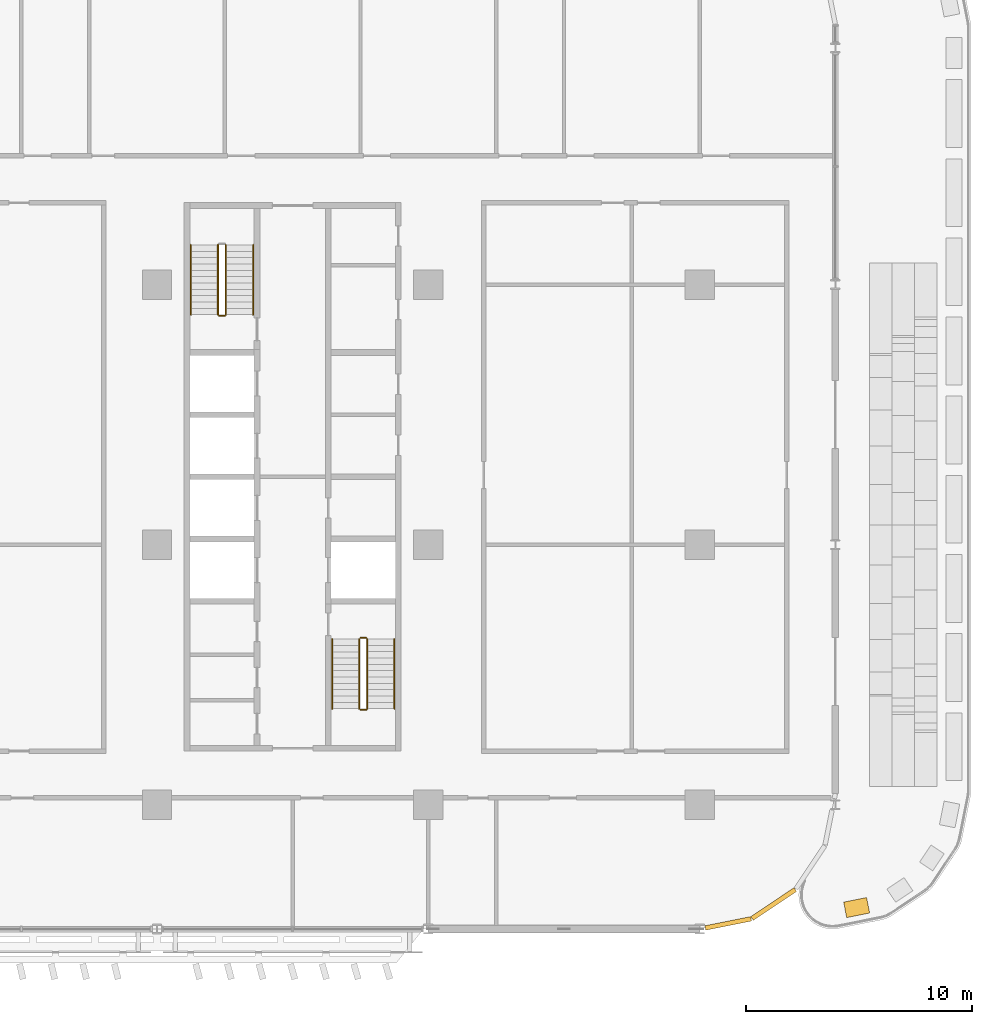
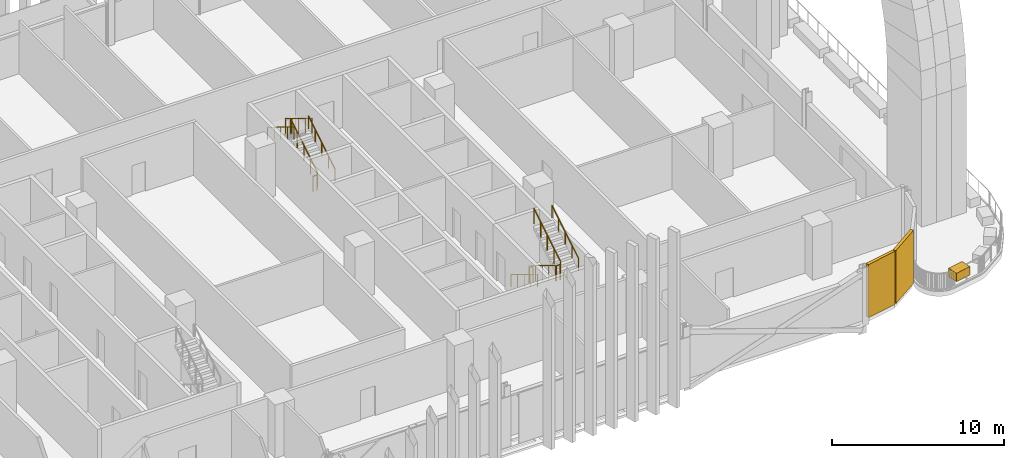
# One storey, part 29 of 33: 11 railings, 3 coverings.
"""IFC4 building model written with IfcOpenShell, lengths in metres."""

from ifc_helpers import new_model, si_unit, direction, frame, origin, origin_2d, place, context, subcontext, project, spatial, rectangle, circle, extrude, material, layer, layer_set, type_object, element, save


model = new_model("IFC4")

# Units and contexts
model_context = context("Model", 3, precision=1e-05, world=origin(), true_north=direction((0.0, 1.0)))
body_context = subcontext(model_context, "Body", "Model", "MODEL_VIEW")
ifc_project = project(units=[si_unit("LENGTHUNIT", "METRE"), si_unit("AREAUNIT", "SQUARE_METRE"), si_unit("VOLUMEUNIT", "CUBIC_METRE"), si_unit("PLANEANGLEUNIT", "RADIAN"), si_unit("MASSUNIT", "GRAM", prefix="KILO")], contexts=[model_context])

# Site, building, storey
site_placement = place(None, origin())
site = spatial("IfcSite", under=ifc_project, at=site_placement, CompositionType="ELEMENT")
building_placement = place(site_placement, origin())
building = spatial("IfcBuilding", under=site, at=building_placement, Name="Mahtab Terrace Research Tower", CompositionType="ELEMENT")
storey_placement = place(building_placement, frame((0.0, 0.0, 122.0)))
storey = spatial("IfcBuildingStorey", under=building, at=storey_placement, Name="L28", CompositionType="ELEMENT", Elevation=122.0)

# Coverings
ifc_material_1 = material(Name="Black aluminium cladding panel", Category="aluminium")
ifc_layer_1 = layer(ifc_material_1, 0.199951171875)
ifc_layer_set_1 = layer_set([ifc_layer_1], Name="Black metal corner cladding 200")
covering_type_1 = type_object("IfcCoveringType", Name="Black metal corner cladding 200", PredefinedType="CLADDING", material=ifc_layer_set_1)
covering_1_placement = place(storey_placement, frame((43.263916015625, -16.74853515625, 0.0), z_axis=(0.0, 0.0, 1.0), x_axis=(0.980760981187, 0.195212442692, 0.0)))
element("IfcCovering", 1, at=covering_1_placement, inside=storey, type_object=covering_type_1, Name="Corner cladding L28 31", PredefinedType="CLADDING", context=body_context, shape_type="SweptSolid", body=[
    extrude(rectangle(XDim=2.064697265625, YDim=0.199951171875, at=origin_2d()), origin(), (0.0, 0.0, 1.0), 3.760009765625),
])
covering_2_placement = place(storey_placement, frame((45.26953125, -15.89306640625, 0.0), z_axis=(0.0, 0.0, 1.0), x_axis=(0.831655794326, 0.555291490808, 0.0)))
element("IfcCovering", 2, at=covering_2_placement, inside=storey, type_object=covering_type_1, Name="Corner cladding L28 32", PredefinedType="CLADDING", context=body_context, shape_type="SweptSolid", body=[
    extrude(rectangle(XDim=2.30126953125, YDim=0.199951171875, at=origin_2d()), origin(), (0.0, 0.0, 1.0), 3.760009765625),
])
ifc_material_2 = material(Name="Planting soil and shrubs")
ifc_layer_2 = layer(ifc_material_2, 0.1201171875)
ifc_layer_set_2 = layer_set([ifc_layer_2], Name="Planter")
covering_type_2 = type_object("IfcCoveringType", Name="Planter", PredefinedType="USERDEFINED", material=ifc_layer_set_2)
covering_3_placement = place(storey_placement, frame((48.941162109375, -16.0478515625, 0.030029296875), z_axis=(0.0, 0.0, 1.0), x_axis=(0.980724538195, 0.195395445655, 0.0)))
element("IfcCovering", 3, at=covering_3_placement, inside=storey, type_object=covering_type_2, Name="PLANTER terrace 3", ObjectType="PLANTER", PredefinedType="USERDEFINED", context=body_context, shape_type="SweptSolid", body=[
    extrude(rectangle(XDim=1.0341796875, YDim=0.699951171875, at=origin_2d()), origin(), (0.0, 0.0, 1.0), 0.60009765625),
])

# Railings
ifc_material_3 = material(Name="Stainless steel AISI 304", Category="steel")
railing_type_1 = type_object("IfcRailingType", Name="Stair guard 1100", PredefinedType="GUARDRAIL", material=ifc_material_3)
railing_1_placement = place(storey_placement, frame((21.050048828125, 10.175048828125, 0.1708984375)))
element("IfcRailing", 4, at=railing_1_placement, inside=storey, type_object=railing_type_1, Name="L28 ST3 stair guard 1", PredefinedType="GUARDRAIL", context=body_context, shape_type="SweptSolid", body=[
    extrude(circle(Radius=0.02392578125, at=origin_2d()), frame((0.0, 0.0, 1.076171875), z_axis=(0.0, 0.853647949592, 0.520850437417), x_axis=(-1.0, 0.0, 0.0)), (0.0, 0.0, 1.0), 3.60791015625),
    extrude(circle(Radius=0.02099609375, at=origin_2d()), origin(), (0.0, 0.0, 1.0), 1.052001953125),
    extrude(circle(Radius=0.02099609375, at=origin_2d()), frame((0.0, 0.77001953125, 0.4697265625)), (0.0, 0.0, 1.0), 1.052001953125),
    extrude(circle(Radius=0.02099609375, at=origin_2d()), frame((0.0, 1.5400390625, 0.939453125)), (0.0, 0.0, 1.0), 1.052001953125),
    extrude(circle(Radius=0.02099609375, at=origin_2d()), frame((0.0, 2.309814453125, 1.409423828125)), (0.0, 0.0, 1.0), 1.052001953125),
    extrude(circle(Radius=0.02099609375, at=origin_2d()), frame((0.0, 3.079833984375, 1.879150390625)), (0.0, 0.0, 1.0), 1.052001953125),
])
railing_2_placement = place(storey_placement, frame((20.699951171875, 13.2548828125, 2.220947265625)))
element("IfcRailing", 5, at=railing_2_placement, inside=storey, type_object=railing_type_1, Name="L28 ST3 stair guard 3", PredefinedType="GUARDRAIL", context=body_context, shape_type="SweptSolid", body=[
    extrude(circle(Radius=0.02392578125, at=origin_2d()), frame((0.0, 0.0, 1.076171875), z_axis=(0.0, -0.853647949592, 0.520850437417), x_axis=(1.0, 0.0, 0.0)), (0.0, 0.0, 1.0), 3.60791015625),
    extrude(circle(Radius=0.02099609375, at=origin_2d()), origin(), (0.0, 0.0, 1.0), 1.052001953125),
    extrude(circle(Radius=0.02099609375, at=origin_2d()), frame((0.0, -0.77001953125, 0.4697265625)), (0.0, 0.0, 1.0), 1.052001953125),
    extrude(circle(Radius=0.02099609375, at=origin_2d()), frame((0.0, -1.5400390625, 0.939453125)), (0.0, 0.0, 1.0), 1.052001953125),
    extrude(circle(Radius=0.02099609375, at=origin_2d()), frame((0.0, -2.309814453125, 1.409423828125)), (0.0, 0.0, 1.0), 1.052001953125),
    extrude(circle(Radius=0.02099609375, at=origin_2d()), frame((0.0, -3.079833984375, 1.879150390625)), (0.0, 0.0, 1.0), 1.052001953125),
])
railing_3_placement = place(storey_placement, frame((21.0, 10.125, 0.0)))
element("IfcRailing", 6, at=railing_3_placement, inside=storey, type_object=railing_type_1, Name="L28 ST3 stair guard 4", PredefinedType="GUARDRAIL", context=body_context, shape_type="SweptSolid", body=[
    extrude(circle(Radius=0.02392578125, at=origin_2d()), frame((0.0, 0.0, 1.076171875), z_axis=(-1.0, 0.0, 0.0), x_axis=(0.0, -1.0, 0.0)), (0.0, 0.0, 1.0), 0.25),
    extrude(circle(Radius=0.02099609375, at=origin_2d()), origin(), (0.0, 0.0, 1.0), 1.052001953125),
    extrude(circle(Radius=0.02099609375, at=origin_2d()), frame((-0.25, 0.0, 0.0)), (0.0, 0.0, 1.0), 1.052001953125),
])
railing_4_placement = place(storey_placement, frame((26.949951171875, -4.175048828125, 0.1708984375)))
element("IfcRailing", 7, at=railing_4_placement, inside=storey, type_object=railing_type_1, Name="L28 ST4 stair guard 1", PredefinedType="GUARDRAIL", context=body_context, shape_type="SweptSolid", body=[
    extrude(circle(Radius=0.02392578125, at=origin_2d()), frame((0.0, 0.0, 1.076171875), z_axis=(0.0, -0.853647949592, 0.520850437417), x_axis=(1.0, 0.0, 0.0)), (0.0, 0.0, 1.0), 3.60791015625),
    extrude(circle(Radius=0.02099609375, at=origin_2d()), origin(), (0.0, 0.0, 1.0), 1.052001953125),
    extrude(circle(Radius=0.02099609375, at=origin_2d()), frame((0.0, -0.77001953125, 0.4697265625)), (0.0, 0.0, 1.0), 1.052001953125),
    extrude(circle(Radius=0.02099609375, at=origin_2d()), frame((0.0, -1.5400390625, 0.939453125)), (0.0, 0.0, 1.0), 1.052001953125),
    extrude(circle(Radius=0.02099609375, at=origin_2d()), frame((0.0, -2.309814453125, 1.409423828125)), (0.0, 0.0, 1.0), 1.052001953125),
    extrude(circle(Radius=0.02099609375, at=origin_2d()), frame((0.0, -3.079833984375, 1.879150390625)), (0.0, 0.0, 1.0), 1.052001953125),
])
railing_5_placement = place(storey_placement, frame((27.0, -7.304931640625, 2.050048828125)))
element("IfcRailing", 8, at=railing_5_placement, inside=storey, type_object=railing_type_1, Name="L28 ST4 stair guard 2", PredefinedType="GUARDRAIL", context=body_context, shape_type="SweptSolid", body=[
    extrude(circle(Radius=0.02392578125, at=origin_2d()), frame((0.0, 0.0, 1.076171875), z_axis=(1.0, 0.0, 0.0), x_axis=(0.0, 1.0, 0.0)), (0.0, 0.0, 1.0), 0.25),
    extrude(circle(Radius=0.02099609375, at=origin_2d()), origin(), (0.0, 0.0, 1.0), 1.052001953125),
    extrude(circle(Radius=0.02099609375, at=origin_2d()), frame((0.25, 0.0, 0.0)), (0.0, 0.0, 1.0), 1.052001953125),
])
railing_6_placement = place(storey_placement, frame((27.300048828125, -7.2548828125, 2.220947265625)))
element("IfcRailing", 9, at=railing_6_placement, inside=storey, type_object=railing_type_1, Name="L28 ST4 stair guard 3", PredefinedType="GUARDRAIL", context=body_context, shape_type="SweptSolid", body=[
    extrude(circle(Radius=0.02392578125, at=origin_2d()), frame((0.0, 0.0, 1.076171875), z_axis=(0.0, 0.853647949592, 0.520850437417), x_axis=(-1.0, 0.0, 0.0)), (0.0, 0.0, 1.0), 3.60791015625),
    extrude(circle(Radius=0.02099609375, at=origin_2d()), origin(), (0.0, 0.0, 1.0), 1.052001953125),
    extrude(circle(Radius=0.02099609375, at=origin_2d()), frame((0.0, 0.77001953125, 0.4697265625)), (0.0, 0.0, 1.0), 1.052001953125),
    extrude(circle(Radius=0.02099609375, at=origin_2d()), frame((0.0, 1.5400390625, 0.939453125)), (0.0, 0.0, 1.0), 1.052001953125),
    extrude(circle(Radius=0.02099609375, at=origin_2d()), frame((0.0, 2.309814453125, 1.409423828125)), (0.0, 0.0, 1.0), 1.052001953125),
    extrude(circle(Radius=0.02099609375, at=origin_2d()), frame((0.0, 3.079833984375, 1.879150390625)), (0.0, 0.0, 1.0), 1.052001953125),
])
railing_7_placement = place(storey_placement, frame((27.0, -4.125, 0.0)))
element("IfcRailing", 10, at=railing_7_placement, inside=storey, type_object=railing_type_1, Name="L28 ST4 stair guard 4", PredefinedType="GUARDRAIL", context=body_context, shape_type="SweptSolid", body=[
    extrude(circle(Radius=0.02392578125, at=origin_2d()), frame((0.0, 0.0, 1.076171875), z_axis=(1.0, 0.0, 0.0), x_axis=(0.0, 1.0, 0.0)), (0.0, 0.0, 1.0), 0.25),
    extrude(circle(Radius=0.02099609375, at=origin_2d()), origin(), (0.0, 0.0, 1.0), 1.052001953125),
    extrude(circle(Radius=0.02099609375, at=origin_2d()), frame((0.25, 0.0, 0.0)), (0.0, 0.0, 1.0), 1.052001953125),
])
railing_type_2 = type_object("IfcRailingType", Name="Stair handrail 900", PredefinedType="HANDRAIL", material=ifc_material_3)
railing_8_placement = place(storey_placement, frame((22.25, 10.175048828125, 0.1708984375)))
element("IfcRailing", 11, at=railing_8_placement, inside=storey, type_object=railing_type_2, Name="L28 ST3 stair handrail 1", PredefinedType="HANDRAIL", context=body_context, shape_type="SweptSolid", body=[
    extrude(circle(Radius=0.02392578125, at=origin_2d()), frame((0.0, 0.0, 0.8759765625), z_axis=(0.0, 0.853647949592, 0.520850437417), x_axis=(-1.0, 0.0, 0.0)), (0.0, 0.0, 1.0), 3.60791015625),
    extrude(circle(Radius=0.02099609375, at=origin_2d()), origin(), (0.0, 0.0, 1.0), 0.851806640625),
    extrude(circle(Radius=0.02099609375, at=origin_2d()), frame((0.0, 0.77001953125, 0.4697265625)), (0.0, 0.0, 1.0), 0.851806640625),
    extrude(circle(Radius=0.02099609375, at=origin_2d()), frame((0.0, 1.5400390625, 0.939453125)), (0.0, 0.0, 1.0), 0.851806640625),
    extrude(circle(Radius=0.02099609375, at=origin_2d()), frame((0.0, 2.309814453125, 1.409423828125)), (0.0, 0.0, 1.0), 0.851806640625),
    extrude(circle(Radius=0.02099609375, at=origin_2d()), frame((0.0, 3.079833984375, 1.879150390625)), (0.0, 0.0, 1.0), 0.851806640625),
])
for number, where, name in (
    (12, (19.5, 13.2548828125, 2.220947265625), "L28 ST3 stair handrail 2"),
    (13, (25.75, -4.175048828125, 0.1708984375), "L28 ST4 stair handrail 1"),
):
    element("IfcRailing", number, at=place(storey_placement, frame(where)), inside=storey, type_object=railing_type_2, Name=name, PredefinedType="HANDRAIL", context=body_context, shape_type="SweptSolid", body=[
        extrude(circle(Radius=0.02392578125, at=origin_2d()), frame((0.0, 0.0, 0.8759765625), z_axis=(0.0, -0.853647949592, 0.520850437417), x_axis=(1.0, 0.0, 0.0)), (0.0, 0.0, 1.0), 3.60791015625),
        extrude(circle(Radius=0.02099609375, at=origin_2d()), origin(), (0.0, 0.0, 1.0), 0.851806640625),
        extrude(circle(Radius=0.02099609375, at=origin_2d()), frame((0.0, -0.77001953125, 0.4697265625)), (0.0, 0.0, 1.0), 0.851806640625),
        extrude(circle(Radius=0.02099609375, at=origin_2d()), frame((0.0, -1.5400390625, 0.939453125)), (0.0, 0.0, 1.0), 0.851806640625),
        extrude(circle(Radius=0.02099609375, at=origin_2d()), frame((0.0, -2.309814453125, 1.409423828125)), (0.0, 0.0, 1.0), 0.851806640625),
        extrude(circle(Radius=0.02099609375, at=origin_2d()), frame((0.0, -3.079833984375, 1.879150390625)), (0.0, 0.0, 1.0), 0.851806640625),
    ])
railing_9_placement = place(storey_placement, frame((28.5, -7.2548828125, 2.220947265625)))
element("IfcRailing", 14, at=railing_9_placement, inside=storey, type_object=railing_type_2, Name="L28 ST4 stair handrail 2", PredefinedType="HANDRAIL", context=body_context, shape_type="SweptSolid", body=[
    extrude(circle(Radius=0.02392578125, at=origin_2d()), frame((0.0, 0.0, 0.8759765625), z_axis=(0.0, 0.853647949592, 0.520850437417), x_axis=(-1.0, 0.0, 0.0)), (0.0, 0.0, 1.0), 3.60791015625),
    extrude(circle(Radius=0.02099609375, at=origin_2d()), origin(), (0.0, 0.0, 1.0), 0.851806640625),
    extrude(circle(Radius=0.02099609375, at=origin_2d()), frame((0.0, 0.77001953125, 0.4697265625)), (0.0, 0.0, 1.0), 0.851806640625),
    extrude(circle(Radius=0.02099609375, at=origin_2d()), frame((0.0, 1.5400390625, 0.939453125)), (0.0, 0.0, 1.0), 0.851806640625),
    extrude(circle(Radius=0.02099609375, at=origin_2d()), frame((0.0, 2.309814453125, 1.409423828125)), (0.0, 0.0, 1.0), 0.851806640625),
    extrude(circle(Radius=0.02099609375, at=origin_2d()), frame((0.0, 3.079833984375, 1.879150390625)), (0.0, 0.0, 1.0), 0.851806640625),
])

save(model, "model.ifc")
